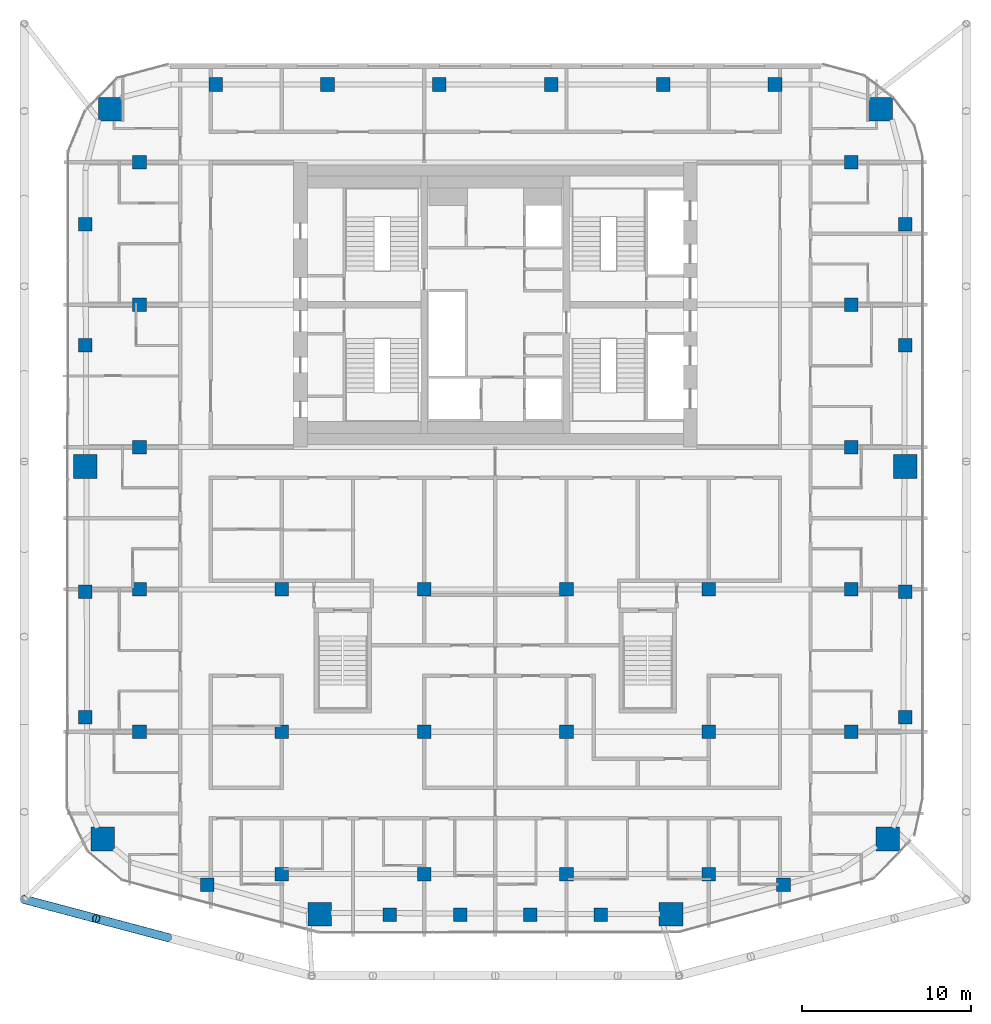
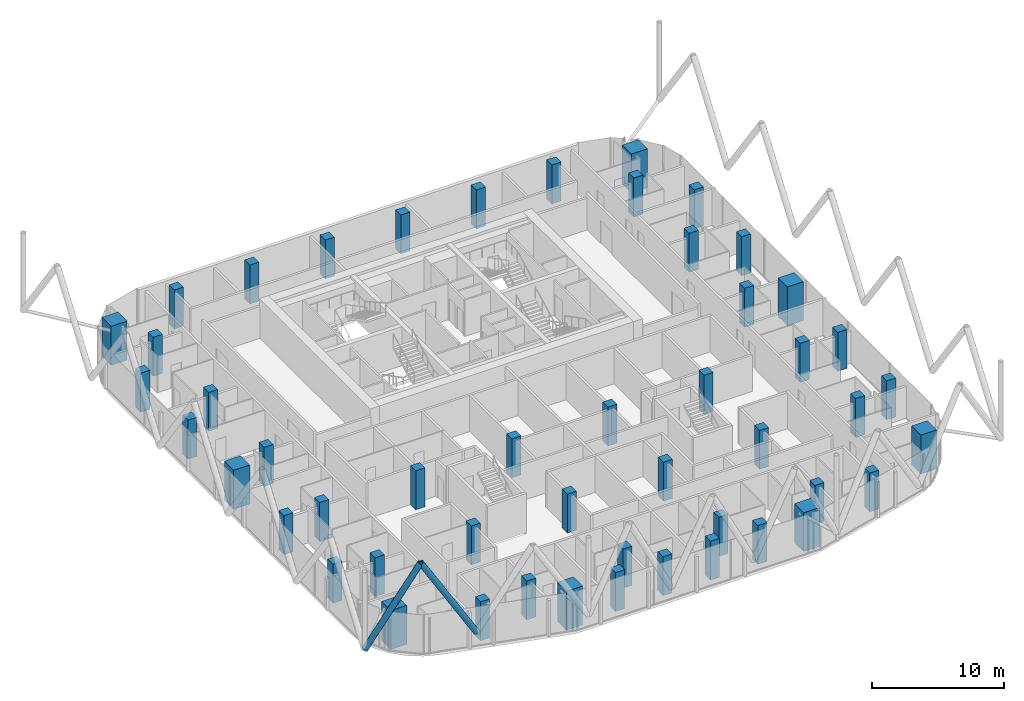
# One storey, part 1 of 28: 50 columns, 2 members.
"""IFC4 building model written with IfcOpenShell, lengths in metres."""

import ifcopenshell
import ifcopenshell.guid

model = None  # the IFC model being written
_history = None  # IfcOwnerHistory: only IFC2X3 demands one
_inside = {}  # id of a spatial element -> (the spatial element, [elements in it])
_under = {}  # id of a project, library or spatial element -> (it, [spatial elements below it])
_declared = {}  # id of a project -> (the project, [libraries it declares])
_typed = {}  # id of a type object -> (the type object, [elements of that type])
_made_of = {}  # id of a material, layer set ... -> (it, [elements and type objects made of it])


def new_model(schema):
    """Start an empty IFC model of exactly this schema.

    Asked for "IFC4X3", IfcOpenShell would pick the latest addendum, in which some entities
    have other attributes; the version numbers below select the first issue.
    IFC2X3 requires an IfcOwnerHistory on every rooted entity: one is made here for all.
    """
    global model, _history
    if schema == "IFC4X3":
        model = ifcopenshell.file(schema_version=(4, 3, 0, 0))
    else:
        model = ifcopenshell.file(schema=schema)
    _inside.clear()
    _under.clear()
    _declared.clear()
    _typed.clear()
    _made_of.clear()
    _history = None
    if model.schema == "IFC2X3":
        org = make("IfcOrganization", Name="unknown")
        user = make(
            "IfcPersonAndOrganization",
            ThePerson=make("IfcPerson", FamilyName="unknown"),
            TheOrganization=org,
        )
        app = make(
            "IfcApplication",
            ApplicationDeveloper=org,
            Version="unknown",
            ApplicationFullName="unknown",
            ApplicationIdentifier="unknown",
        )
        _history = make(
            "IfcOwnerHistory",
            OwningUser=user,
            OwningApplication=app,
            ChangeAction="ADDED",
            CreationDate=0,
        )
    return model


def make(cls, **values):
    """One entity of the class cls with the attributes given. An attribute that is None is left unset."""
    return model.create_entity(
        cls, **{name: value for name, value in values.items() if value is not None}
    )


def rooted(cls, **values):
    """An entity with a GlobalId (a new one), such as an element, a storey or a relation."""
    return make(cls, GlobalId=ifcopenshell.guid.new(), OwnerHistory=_history, **values)


def si_unit(unit_type, name, prefix=None):
    """IfcSIUnit, for example si_unit("LENGTHUNIT", "METRE", prefix="MILLI")."""
    return make("IfcSIUnit", UnitType=unit_type, Prefix=prefix, Name=name)


def assignment(units):
    """IfcUnitAssignment: the units of a project."""
    return None if units is None else make("IfcUnitAssignment", Units=units)


def point(xyz):
    """IfcCartesianPoint."""
    return None if xyz is None else make("IfcCartesianPoint", Coordinates=xyz)


def direction(xyz):
    """IfcDirection."""
    return None if xyz is None else make("IfcDirection", DirectionRatios=xyz)


def frame(location, z_axis=None, x_axis=None):
    """IfcAxis2Placement3D, a coordinate frame: its origin and axes. An axis left out is left unset."""
    return make(
        "IfcAxis2Placement3D",
        Location=point(location),
        Axis=direction(z_axis),
        RefDirection=direction(x_axis),
    )


def frame_2d(location, x_axis=None):
    """IfcAxis2Placement2D, a coordinate frame in the plane: its origin and x axis."""
    return make(
        "IfcAxis2Placement2D", Location=point(location), RefDirection=direction(x_axis)
    )


def origin():
    """The frame at (0, 0, 0) with its axes left unset."""
    return frame((0.0, 0.0, 0.0))


def origin_2d():
    """The frame at (0, 0) in the plane with its x axis left unset."""
    return frame_2d((0.0, 0.0))


def place(relative_to, where):
    """IfcLocalPlacement: puts the frame where relative to a parent placement (None: the world)."""
    return make(
        "IfcLocalPlacement", PlacementRelTo=relative_to, RelativePlacement=where
    )


def context(
    kind, dimensions, precision=None, world=None, true_north=None, identifier=None
):
    """IfcGeometricRepresentationContext, for example the 3D "Model" context."""
    return make(
        "IfcGeometricRepresentationContext",
        ContextIdentifier=identifier,
        ContextType=kind,
        CoordinateSpaceDimension=dimensions,
        Precision=precision,
        WorldCoordinateSystem=world,
        TrueNorth=true_north,
    )


def subcontext(parent, identifier, kind, view, scale=None):
    """IfcGeometricRepresentationSubContext, for example "Body" below "Model"."""
    return make(
        "IfcGeometricRepresentationSubContext",
        ContextIdentifier=identifier,
        ContextType=kind,
        ParentContext=parent,
        TargetScale=scale,
        TargetView=view,
    )


def project(units=None, contexts=None):
    """IfcProject with its units and contexts."""
    return rooted(
        "IfcProject",
        Name="project",
        RepresentationContexts=contexts,
        UnitsInContext=assignment(units),
    )


def spatial(cls, under=None, at=None, **own):
    """A site, building, storey or space (cls), placed at a placement, below another one or the project."""
    s = rooted(cls, ObjectPlacement=at, **own)
    if under is not None:
        _under.setdefault(under.id(), (under, []))[1].append(s)
    return s


def profile(cls, at=None, kind="AREA", **sizes):
    """A parametric profile (cls). Its sizes go by their IFC names, for example OverallWidth=200.0."""
    return make(cls, ProfileType=kind, Position=at, **sizes)


def rectangle(**sizes):
    """IfcRectangleProfileDef."""
    return profile("IfcRectangleProfileDef", **sizes)


def hollow_circle(**sizes):
    """IfcCircleHollowProfileDef."""
    return profile("IfcCircleHollowProfileDef", **sizes)


def extrude(swept, where, along, depth):
    """IfcExtrudedAreaSolid: the profile swept, set in the frame where, extruded along a direction by depth."""
    return make(
        "IfcExtrudedAreaSolid",
        SweptArea=swept,
        Position=where,
        ExtrudedDirection=direction(along),
        Depth=depth,
    )


def shape(context_of_items, identifier, shape_type, items):
    """IfcShapeRepresentation: the items that make up one representation, for example the "Body"."""
    return make(
        "IfcShapeRepresentation",
        ContextOfItems=context_of_items,
        RepresentationIdentifier=identifier,
        RepresentationType=shape_type,
        Items=items,
    )


def material(Name=None, Category=None):
    """IfcMaterial."""
    return make("IfcMaterial", Name=Name, Category=Category)


def material_profile(
    of_material, cross_section, Name=None, Category=None, Priority=None
):
    """IfcMaterialProfile: a cross section and its material."""
    return make(
        "IfcMaterialProfile",
        Name=Name,
        Material=of_material,
        Profile=cross_section,
        Priority=Priority,
        Category=Category,
    )


def profile_set(profiles, Name=None, composite=None):
    """IfcMaterialProfileSet."""
    return make(
        "IfcMaterialProfileSet",
        Name=Name,
        MaterialProfiles=profiles,
        CompositeProfile=composite,
    )


def made_of(thing, what):
    """Note that an element or type object is made of a material, layer set ...; save() writes the relation."""
    if what is not None:
        _made_of.setdefault(what.id(), (what, []))[1].append(thing)
    return thing


def type_object(cls, material=None, **own):
    """A type object (cls), such as IfcWallType, which elements share."""
    return made_of(rooted(cls, **own), material)


def element(
    cls,
    number,
    at=None,
    inside=None,
    cuts=None,
    type_object=None,
    material=None,
    context=None,
    identifier="Body",
    shape_type=None,
    held_by="IfcProductDefinitionShape",
    body=None,
    shapes=None,
    **own,
):
    """One element of the class cls, such as IfcWall. Its Tag is "e" and its number.

    at: its placement. inside: the storey or other place that contains it. cuts: it is an
    opening in that element (IfcRelVoidsElement). A single representation is given by context,
    identifier, shape_type and body (its items); several are given by shapes. held_by: the class
    of the entity that holds the representations. save() writes the other relations.
    """
    e = rooted(cls, Tag="e%d" % number, ObjectPlacement=at, **own)
    if body is not None:
        shapes = [shape(context, identifier, shape_type, body)]
    if shapes is not None:
        e.Representation = make(held_by, Representations=shapes)
    if inside is not None:
        _inside.setdefault(inside.id(), (inside, []))[1].append(e)
    if cuts is not None:
        rooted(
            "IfcRelVoidsElement", RelatingBuildingElement=cuts, RelatedOpeningElement=e
        )
    if type_object is not None:
        _typed.setdefault(type_object.id(), (type_object, []))[1].append(e)
    return made_of(e, material)


def aggregate(whole, parts):
    """IfcRelAggregates: a whole, such as a stair, and the parts it consists of."""
    return rooted("IfcRelAggregates", RelatingObject=whole, RelatedObjects=parts)


def save(model, path):
    """Write the relations noted so far, then the file.

    IfcRelAggregates (storeys below a building ...), IfcRelContainedInSpatialStructure (elements
    in a storey), IfcRelDefinesByType, IfcRelAssociatesMaterial and IfcRelDeclares: one each for
    every whole, place, type object, material and project.
    """
    for whole, parts in _under.values():
        aggregate(whole, parts)
    for where, things in _inside.values():
        rooted(
            "IfcRelContainedInSpatialStructure",
            RelatedElements=things,
            RelatingStructure=where,
        )
    for kind, things in _typed.values():
        rooted("IfcRelDefinesByType", RelatedObjects=things, RelatingType=kind)
    for what, things in _made_of.values():
        rooted("IfcRelAssociatesMaterial", RelatedObjects=things, RelatingMaterial=what)
    for by, libraries in _declared.values():
        rooted("IfcRelDeclares", RelatingContext=by, RelatedDefinitions=libraries)
    model.write(path)


model = new_model("IFC4")

# Units and contexts
model_context = context("Model", 3, precision=1e-05, world=origin(), true_north=direction((0.0, 1.0)))
body_context = subcontext(model_context, "Body", "Model", "MODEL_VIEW")
ifc_project = project(units=[si_unit("LENGTHUNIT", "METRE"), si_unit("AREAUNIT", "SQUARE_METRE"), si_unit("VOLUMEUNIT", "CUBIC_METRE"), si_unit("PLANEANGLEUNIT", "RADIAN"), si_unit("MASSUNIT", "GRAM", prefix="KILO")], contexts=[model_context])

# Site, building, storey
site_placement = place(None, origin())
site = spatial("IfcSite", under=ifc_project, at=site_placement, CompositionType="ELEMENT")
building_placement = place(site_placement, origin())
building = spatial("IfcBuilding", under=site, at=building_placement, Name="Marenta Gate Hotel Tower", CompositionType="ELEMENT")
storey_placement = place(building_placement, frame((0.0, 0.0, 212.89990234375)))
storey = spatial("IfcBuildingStorey", under=building, at=storey_placement, Name="L49", CompositionType="ELEMENT", Elevation=212.89990234375)

# Columns
ifc_material_1 = material(Name="Concrete C60", Category="concrete")
ifc_material_profile_1 = material_profile(ifc_material_1, rectangle(XDim=0.800048828125, YDim=0.800048828125, at=origin_2d()), Name="800 x 800")
ifc_profile_set_1 = profile_set([ifc_material_profile_1], Name="Concrete C60")
column_type_1 = type_object("IfcColumnType", Name="Edge column 800 x 800 C60", PredefinedType="COLUMN", material=ifc_profile_set_1)
for number, where, z_axis, x_axis, name in (
    (1, (-24.199951171875, -15.951904296875, 0.0), (0.0, 0.0, 1.0), (1.0, 0.0, 0.0), "L49-EC-SW-W-1"),
    (2, (-24.199951171875, -8.55078125, 0.0), (0.0, 0.0, 1.0), (1.0, 0.0, 0.0), "L49-EC-SW-W-2"),
    (3, (-24.199951171875, 6.003173828125, 0.0), (0.0, 0.0, 1.0), (1.0, 0.0, 0.0), "L49-EC-W-NW-1"),
    (4, (-24.199951171875, 13.156494140625, 0.0), (0.0, 0.0, 1.0), (1.0, 0.0, 0.0), "L49-EC-W-NW-2"),
    (5, (-16.5068359375, 21.39990234375, 0.0), (0.0, 0.0, 1.0), (1.0, 0.0, 0.0), "L49-EC-NW-NE-1"),
    (6, (-9.904052734375, 21.39990234375, 0.0), (0.0, 0.0, 1.0), (1.0, 0.0, 0.0), "L49-EC-NW-NE-2"),
    (7, (-3.301513671875, 21.39990234375, 0.0), (0.0, 0.0, 1.0), (1.0, 0.0, 0.0), "L49-EC-NW-NE-3"),
    (8, (3.301513671875, 21.39990234375, 0.0), (0.0, 0.0, 1.0), (1.0, 0.0, 0.0), "L49-EC-NW-NE-4"),
    (9, (9.904052734375, 21.39990234375, 0.0), (0.0, 0.0, 1.0), (1.0, 0.0, 0.0), "L49-EC-NW-NE-5"),
    (10, (16.5068359375, 21.39990234375, 0.0), (0.0, 0.0, 1.0), (1.0, 0.0, 0.0), "L49-EC-NW-NE-6"),
    (11, (24.199951171875, 13.156494140625, 0.0), (0.0, 0.0, 1.0), (1.0, 0.0, 0.0), "L49-EC-NE-E-1"),
    (12, (24.199951171875, 6.003173828125, 0.0), (0.0, 0.0, 1.0), (1.0, 0.0, 0.0), "L49-EC-NE-E-2"),
    (13, (24.199951171875, -8.55078125, 0.0), (0.0, 0.0, 1.0), (1.0, 0.0, 0.0), "L49-EC-E-SE-1"),
    (14, (24.199951171875, -15.951904296875, 0.0), (0.0, 0.0, 1.0), (1.0, 0.0, 0.0), "L49-EC-E-SE-2"),
    (15, (17.0068359375, -25.839111328125, 0.0), (0.0, 0.0, 1.0), (1.0, 0.0, 0.0), "L49-EC-SE-SKE-1"),
    (16, (6.22021484375, -27.60009765625, 0.0), (0.0, 0.0, 1.0), (1.0, 0.0, 0.0), "L49-EC-SKE-SKW-1"),
    (17, (2.073486328125, -27.60009765625, 0.0), (0.0, 0.0, 1.0), (1.0, 0.0, 0.0), "L49-EC-SKE-SKW-2"),
    (18, (-2.073486328125, -27.60009765625, 0.0), (0.0, 0.0, 1.0), (1.0, 0.0, 0.0), "L49-EC-SKE-SKW-3"),
    (19, (-6.22021484375, -27.60009765625, 0.0), (0.0, 0.0, 1.0), (1.0, 0.0, 0.0), "L49-EC-SKE-SKW-4"),
    (20, (-17.0068359375, -25.839111328125, 0.0), (0.0, 0.0, 1.0), (1.0, 0.0, 0.0), "L49-EC-SKW-SW-1"),
):
    element("IfcColumn", number, at=place(storey_placement, frame(where, z_axis=z_axis, x_axis=x_axis)), inside=storey, type_object=column_type_1, Name=name, PredefinedType="COLUMN", context=body_context, shape_type="SweptSolid", body=[
        extrude(rectangle(XDim=0.800048828125, YDim=0.800048828125, at=origin_2d()), origin(), (0.0, 0.0, 1.0), 3.60009765625),
    ])
ifc_material_2 = material(Name="Concrete C60", Category="concrete")
ifc_material_profile_2 = material_profile(ifc_material_2, rectangle(XDim=0.800048828125, YDim=0.800048828125, at=origin_2d()), Name="800 x 800")
ifc_profile_set_2 = profile_set([ifc_material_profile_2], Name="Concrete C60")
column_type_2 = type_object("IfcColumnType", Name="Interior column 800 x 800 C60", PredefinedType="COLUMN", material=ifc_profile_set_2)
for number, where, z_axis, x_axis, name in (
    (21, (-21.0, -16.800048828125, 0.0), (0.0, 0.0, 1.0), (1.0, 0.0, 0.0), "L49-IC-4D"),
    (22, (-21.0, -8.39990234375, 0.0), (0.0, 0.0, 1.0), (1.0, 0.0, 0.0), "L49-IC-4E"),
    (23, (-21.0, 0.0, 0.0), (0.0, 0.0, 1.0), (1.0, 0.0, 0.0), "L49-IC-4F"),
    (24, (-21.0, 8.39990234375, 0.0), (0.0, 0.0, 1.0), (1.0, 0.0, 0.0), "L49-IC-4G"),
    (25, (-21.0, 16.800048828125, 0.0), (0.0, 0.0, 1.0), (1.0, 0.0, 0.0), "L49-IC-4H"),
    (26, (-12.60009765625, -25.199951171875, 0.0), (0.0, 0.0, 1.0), (1.0, 0.0, 0.0), "L49-IC-5C"),
    (27, (-12.60009765625, -16.800048828125, 0.0), (0.0, 0.0, 1.0), (1.0, 0.0, 0.0), "L49-IC-5D"),
    (28, (-12.60009765625, -8.39990234375, 0.0), (0.0, 0.0, 1.0), (1.0, 0.0, 0.0), "L49-IC-5E"),
    (29, (-4.199951171875, -25.199951171875, 0.0), (0.0, 0.0, 1.0), (1.0, 0.0, 0.0), "L49-IC-6C"),
    (30, (-4.199951171875, -16.800048828125, 0.0), (0.0, 0.0, 1.0), (1.0, 0.0, 0.0), "L49-IC-6D"),
    (31, (-4.199951171875, -8.39990234375, 0.0), (0.0, 0.0, 1.0), (1.0, 0.0, 0.0), "L49-IC-6E"),
    (32, (4.199951171875, -25.199951171875, 0.0), (0.0, 0.0, 1.0), (1.0, 0.0, 0.0), "L49-IC-7C"),
    (33, (4.199951171875, -16.800048828125, 0.0), (0.0, 0.0, 1.0), (1.0, 0.0, 0.0), "L49-IC-7D"),
    (34, (4.199951171875, -8.39990234375, 0.0), (0.0, 0.0, 1.0), (1.0, 0.0, 0.0), "L49-IC-7E"),
    (35, (12.60009765625, -25.199951171875, 0.0), (0.0, 0.0, 1.0), (1.0, 0.0, 0.0), "L49-IC-8C"),
    (36, (12.60009765625, -16.800048828125, 0.0), (0.0, 0.0, 1.0), (1.0, 0.0, 0.0), "L49-IC-8D"),
    (37, (12.60009765625, -8.39990234375, 0.0), (0.0, 0.0, 1.0), (1.0, 0.0, 0.0), "L49-IC-8E"),
    (38, (21.0, -16.800048828125, 0.0), (0.0, 0.0, 1.0), (1.0, 0.0, 0.0), "L49-IC-9D"),
    (39, (21.0, -8.39990234375, 0.0), (0.0, 0.0, 1.0), (1.0, 0.0, 0.0), "L49-IC-9E"),
    (40, (21.0, 0.0, 0.0), (0.0, 0.0, 1.0), (1.0, 0.0, 0.0), "L49-IC-9F"),
    (41, (21.0, 8.39990234375, 0.0), (0.0, 0.0, 1.0), (1.0, 0.0, 0.0), "L49-IC-9G"),
    (42, (21.0, 16.800048828125, 0.0), (0.0, 0.0, 1.0), (1.0, 0.0, 0.0), "L49-IC-9H"),
):
    element("IfcColumn", number, at=place(storey_placement, frame(where, z_axis=z_axis, x_axis=x_axis)), inside=storey, type_object=column_type_2, Name=name, PredefinedType="COLUMN", context=body_context, shape_type="SweptSolid", body=[
        extrude(rectangle(XDim=0.800048828125, YDim=0.800048828125, at=origin_2d()), origin(), (0.0, 0.0, 1.0), 3.60009765625),
    ])
ifc_material_3 = material(Name="Concrete C60", Category="concrete")
ifc_material_profile_3 = material_profile(ifc_material_3, rectangle(XDim=1.39990234375, YDim=1.39990234375, at=origin_2d()), Name="1400 x 1400")
ifc_profile_set_3 = profile_set([ifc_material_profile_3], Name="Concrete C60")
column_type_3 = type_object("IfcColumnType", Name="Mega column 1400 x 1400 C60", PredefinedType="COLUMN", material=ifc_profile_set_3)
for number, where, z_axis, x_axis, name in (
    (43, (-23.1630859375, -23.133056640625, 0.0), (0.0, 0.0, 1.0), (1.0, 0.0, 0.0), "L49-MC-SW"),
    (44, (-10.3662109375, -27.57470703125, 0.0), (0.0, 0.0, 1.0), (1.0, 0.0, 0.0), "L49-MC-SKW"),
    (45, (10.3662109375, -27.57470703125, 0.0), (0.0, 0.0, 1.0), (1.0, 0.0, 0.0), "L49-MC-SKE"),
    (46, (23.1630859375, -23.133056640625, 0.0), (0.0, 0.0, 1.0), (1.0, 0.0, 0.0), "L49-MC-SE"),
    (47, (24.199951171875, -1.14990234375, 0.0), (0.0, 0.0, 1.0), (1.0, 0.0, 0.0), "L49-MC-E"),
    (48, (22.735595703125, 19.935546875, 0.0), (0.0, 0.0, 1.0), (1.0, 0.0, 0.0), "L49-MC-NE"),
    (49, (-22.735595703125, 19.935546875, 0.0), (0.0, 0.0, 1.0), (1.0, 0.0, 0.0), "L49-MC-NW"),
    (50, (-24.199951171875, -1.14990234375, 0.0), (0.0, 0.0, 1.0), (1.0, 0.0, 0.0), "L49-MC-W"),
):
    element("IfcColumn", number, at=place(storey_placement, frame(where, z_axis=z_axis, x_axis=x_axis)), inside=storey, type_object=column_type_3, Name=name, PredefinedType="COLUMN", context=body_context, shape_type="SweptSolid", body=[
        extrude(rectangle(XDim=1.39990234375, YDim=1.39990234375, at=origin_2d()), origin(), (0.0, 0.0, 1.0), 3.60009765625),
    ])

# Members
ifc_material_4 = material(Name="Steel S355J2W", Category="steel")
ifc_material_profile_4 = material_profile(ifc_material_4, hollow_circle(Radius=0.25390625, WallThickness=0.02490234375, at=origin_2d()), Name="CHS 508x25")
ifc_profile_set_4 = profile_set([ifc_material_profile_4], Name="Steel S355J2W")
member_type = type_object("IfcMemberType", Name="Diagrid diagonal Z3 CHS 508x25", PredefinedType="BRACE", material=ifc_profile_set_4)
for number, where, z_axis, x_axis, name in (
    (51, (-19.319580078125, -28.9501953125, 3.14013671875), (-0.502924018666, 0.133433548941, 0.853968921838), (-0.256443187528, -0.96655930577, 0.0), "L49-DG-23"),
    (52, (-27.800048828125, -26.7001953125, 3.14013671875), (0.502924018666, -0.133433548941, 0.853968921838), (0.256443187528, 0.96655930577, 0.0), "L49-DG-24"),
):
    element("IfcMember", number, at=place(storey_placement, frame(where, z_axis=z_axis, x_axis=x_axis)), inside=storey, type_object=member_type, Name=name, PredefinedType="BRACE", context=body_context, shape_type="SweptSolid", body=[
        extrude(hollow_circle(Radius=0.25390625, WallThickness=0.02490234375, at=origin_2d()), origin(), (0.0, 0.0, 1.0), 8.43115234375),
    ])

save(model, "model.ifc")
